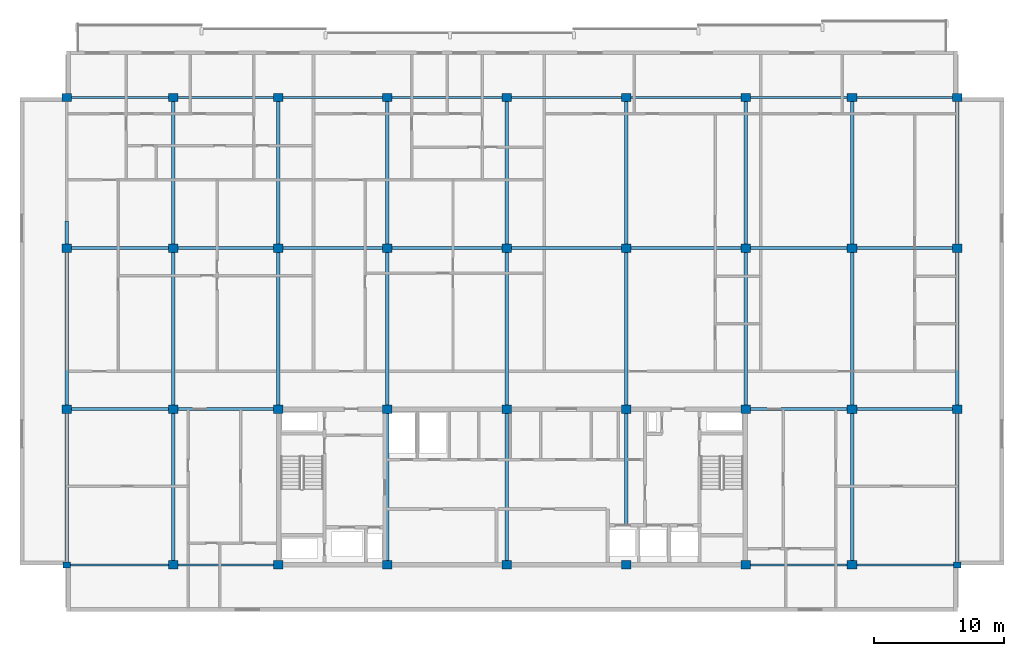
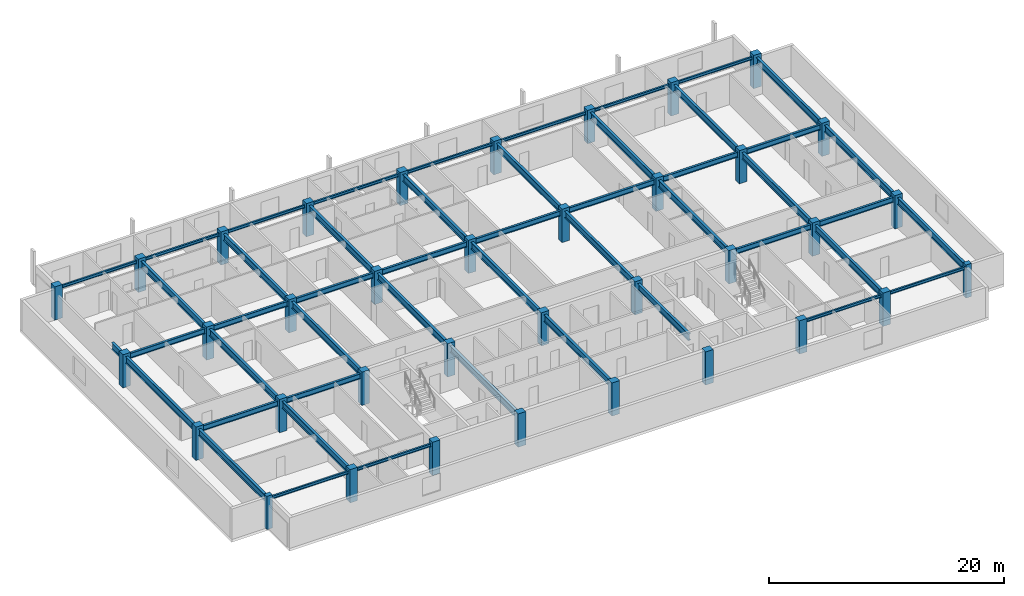
# One storey, part 1 of 11: 49 beams, 36 columns.
"""IFC4 building model written with IfcOpenShell, lengths in metres."""

from ifc_helpers import new_model, si_unit, direction, frame, origin, origin_2d, place, context, subcontext, project, spatial, rectangle, i_section, extrude, material, material_profile, profile_set, type_object, element, save


model = new_model("IFC4")

# Units and contexts
model_context = context("Model", 3, precision=1e-05, world=origin(), true_north=direction((0.0, 1.0)))
body_context = subcontext(model_context, "Body", "Model", "MODEL_VIEW")
ifc_project = project(units=[si_unit("LENGTHUNIT", "METRE"), si_unit("AREAUNIT", "SQUARE_METRE"), si_unit("VOLUMEUNIT", "CUBIC_METRE"), si_unit("PLANEANGLEUNIT", "RADIAN"), si_unit("MASSUNIT", "GRAM", prefix="KILO")], contexts=[model_context])

# Site, building, storey
site_placement = place(None, origin())
site = spatial("IfcSite", under=ifc_project, at=site_placement, CompositionType="ELEMENT")
building_placement = place(site_placement, origin())
building = spatial("IfcBuilding", under=site, at=building_placement, Name="Korimba Cascade Residences", CompositionType="ELEMENT")
storey_placement = place(building_placement, frame((0.0, 0.0, 252.800048828125)))
storey = spatial("IfcBuildingStorey", under=building, at=storey_placement, Name="L73", CompositionType="ELEMENT", Elevation=252.800048828125)

# Columns
ifc_material_1 = material(Name="Concrete C65/80", Category="concrete")
ifc_material_profile_1 = material_profile(ifc_material_1, rectangle(XDim=0.550048828125, YDim=0.449951171875, at=origin_2d()), Name="Concrete C65/80")
ifc_profile_set_1 = profile_set([ifc_material_profile_1], Name="Concrete C65/80")
column_type_1 = type_object("IfcColumnType", Name="COL-PIL-550", PredefinedType="PILASTER", material=ifc_profile_set_1)
for number, where, z_axis, x_axis, name in (
    (1, (59.800048828125, 55.199951171875, 0.0), (0.0, 0.0, 1.0), (1.0, 0.0, 0.0), "L73 Tower 1 Column 1.1"),
    (2, (128.39990234375, 55.199951171875, 0.0), (0.0, 0.0, 1.0), (1.0, 0.0, 0.0), "L73 Tower 1 Column 9.1"),
):
    element("IfcColumn", number, at=place(storey_placement, frame(where, z_axis=z_axis, x_axis=x_axis)), inside=storey, type_object=column_type_1, Name=name, PredefinedType="PILASTER", context=body_context, shape_type="SweptSolid", body=[
        extrude(rectangle(XDim=0.550048828125, YDim=0.449951171875, at=origin_2d()), origin(), (0.0, 0.0, 1.0), 3.449951171875),
    ])
ifc_material_2 = material(Name="Concrete C50/60", Category="concrete")
ifc_material_profile_2 = material_profile(ifc_material_2, rectangle(XDim=0.75, YDim=0.64990234375, at=origin_2d()), Name="Concrete C50/60")
ifc_profile_set_2 = profile_set([ifc_material_profile_2], Name="Concrete C50/60")
column_type_2 = type_object("IfcColumnType", Name="COL-RC-750", PredefinedType="COLUMN", material=ifc_profile_set_2)
for number, where, z_axis, x_axis, name in (
    (3, (59.800048828125, 67.199951171875, 0.0), (0.0, 0.0, 1.0), (1.0, 0.0, 0.0), "L73 Tower 1 Column 1.2"),
    (4, (59.800048828125, 79.60009765625, 0.0), (0.0, 0.0, 1.0), (1.0, 0.0, 0.0), "L73 Tower 1 Column 1.3"),
    (5, (59.800048828125, 91.199951171875, 0.0), (0.0, 0.0, 1.0), (1.0, 0.0, 0.0), "L73 Tower 1 Column 1.4"),
    (6, (68.0, 55.199951171875, 0.0), (0.0, 0.0, 1.0), (1.0, 0.0, 0.0), "L73 Tower 1 Column 2.1"),
    (7, (68.0, 67.199951171875, 0.0), (0.0, 0.0, 1.0), (1.0, 0.0, 0.0), "L73 Tower 1 Column 2.2"),
    (8, (68.0, 79.60009765625, 0.0), (0.0, 0.0, 1.0), (1.0, 0.0, 0.0), "L73 Tower 1 Column 2.3"),
    (9, (68.0, 91.199951171875, 0.0), (0.0, 0.0, 1.0), (1.0, 0.0, 0.0), "L73 Tower 1 Column 2.4"),
    (10, (76.10009765625, 55.199951171875, 0.0), (0.0, 0.0, 1.0), (1.0, 0.0, 0.0), "L73 Tower 1 Column 3.1"),
    (11, (76.10009765625, 67.199951171875, 0.0), (0.0, 0.0, 1.0), (1.0, 0.0, 0.0), "L73 Tower 1 Column 3.2"),
    (12, (76.10009765625, 79.60009765625, 0.0), (0.0, 0.0, 1.0), (1.0, 0.0, 0.0), "L73 Tower 1 Column 3.3"),
    (13, (76.10009765625, 91.199951171875, 0.0), (0.0, 0.0, 1.0), (1.0, 0.0, 0.0), "L73 Tower 1 Column 3.4"),
    (14, (84.5, 55.199951171875, 0.0), (0.0, 0.0, 1.0), (1.0, 0.0, 0.0), "L73 Tower 1 Column 4.1"),
    (15, (84.5, 67.199951171875, 0.0), (0.0, 0.0, 1.0), (1.0, 0.0, 0.0), "L73 Tower 1 Column 4.2"),
    (16, (84.5, 79.60009765625, 0.0), (0.0, 0.0, 1.0), (1.0, 0.0, 0.0), "L73 Tower 1 Column 4.3"),
    (17, (84.5, 91.199951171875, 0.0), (0.0, 0.0, 1.0), (1.0, 0.0, 0.0), "L73 Tower 1 Column 4.4"),
    (18, (93.699951171875, 55.199951171875, 0.0), (0.0, 0.0, 1.0), (1.0, 0.0, 0.0), "L73 Tower 1 Column 5.1"),
    (19, (93.699951171875, 67.199951171875, 0.0), (0.0, 0.0, 1.0), (1.0, 0.0, 0.0), "L73 Tower 1 Column 5.2"),
    (20, (93.699951171875, 79.60009765625, 0.0), (0.0, 0.0, 1.0), (1.0, 0.0, 0.0), "L73 Tower 1 Column 5.3"),
    (21, (93.699951171875, 91.199951171875, 0.0), (0.0, 0.0, 1.0), (1.0, 0.0, 0.0), "L73 Tower 1 Column 5.4"),
    (22, (102.89990234375, 55.199951171875, 0.0), (0.0, 0.0, 1.0), (1.0, 0.0, 0.0), "L73 Tower 1 Column 6.1"),
    (23, (102.89990234375, 67.199951171875, 0.0), (0.0, 0.0, 1.0), (1.0, 0.0, 0.0), "L73 Tower 1 Column 6.2"),
    (24, (102.89990234375, 79.60009765625, 0.0), (0.0, 0.0, 1.0), (1.0, 0.0, 0.0), "L73 Tower 1 Column 6.3"),
    (25, (102.89990234375, 91.199951171875, 0.0), (0.0, 0.0, 1.0), (1.0, 0.0, 0.0), "L73 Tower 1 Column 6.4"),
    (26, (112.10009765625, 55.199951171875, 0.0), (0.0, 0.0, 1.0), (1.0, 0.0, 0.0), "L73 Tower 1 Column 7.1"),
    (27, (112.10009765625, 67.199951171875, 0.0), (0.0, 0.0, 1.0), (1.0, 0.0, 0.0), "L73 Tower 1 Column 7.2"),
    (28, (112.10009765625, 79.60009765625, 0.0), (0.0, 0.0, 1.0), (1.0, 0.0, 0.0), "L73 Tower 1 Column 7.3"),
    (29, (112.10009765625, 91.199951171875, 0.0), (0.0, 0.0, 1.0), (1.0, 0.0, 0.0), "L73 Tower 1 Column 7.4"),
    (30, (120.300048828125, 55.199951171875, 0.0), (0.0, 0.0, 1.0), (1.0, 0.0, 0.0), "L73 Tower 1 Column 8.1"),
    (31, (120.300048828125, 67.199951171875, 0.0), (0.0, 0.0, 1.0), (1.0, 0.0, 0.0), "L73 Tower 1 Column 8.2"),
    (32, (120.300048828125, 79.60009765625, 0.0), (0.0, 0.0, 1.0), (1.0, 0.0, 0.0), "L73 Tower 1 Column 8.3"),
    (33, (120.300048828125, 91.199951171875, 0.0), (0.0, 0.0, 1.0), (1.0, 0.0, 0.0), "L73 Tower 1 Column 8.4"),
    (34, (128.39990234375, 67.199951171875, 0.0), (0.0, 0.0, 1.0), (1.0, 0.0, 0.0), "L73 Tower 1 Column 9.2"),
    (35, (128.39990234375, 79.60009765625, 0.0), (0.0, 0.0, 1.0), (1.0, 0.0, 0.0), "L73 Tower 1 Column 9.3"),
    (36, (128.39990234375, 91.199951171875, 0.0), (0.0, 0.0, 1.0), (1.0, 0.0, 0.0), "L73 Tower 1 Column 9.4"),
):
    element("IfcColumn", number, at=place(storey_placement, frame(where, z_axis=z_axis, x_axis=x_axis)), inside=storey, type_object=column_type_2, Name=name, PredefinedType="COLUMN", context=body_context, shape_type="SweptSolid", body=[
        extrude(rectangle(XDim=0.75, YDim=0.64990234375, at=origin_2d()), origin(), (0.0, 0.0, 1.0), 3.449951171875),
    ])

# Beams
ifc_material_3 = material(Name="Steel S355", Category="steel")
ifc_material_profile_3 = material_profile(ifc_material_3, i_section(OverallWidth=0.165771484375, OverallDepth=0.306640625, WebThickness=0.006591796875, FlangeThickness=0.01171875, FilletRadius=0.0087890625, at=origin_2d()), Name="Steel S355")
ifc_profile_set_3 = profile_set([ifc_material_profile_3], Name="Steel S355")
beam_type_1 = type_object("IfcBeamType", Name="BM-STL-UB305", PredefinedType="SPANDREL", material=ifc_profile_set_3)
beam_1_placement = place(storey_placement, frame((60.074951171875, 55.199951171875, 3.0166015625), z_axis=(1.0, 0.0, 0.0), x_axis=(0.0, 1.0, 0.0)))
element("IfcBeam", 37, at=beam_1_placement, inside=storey, type_object=beam_type_1, Name="L73 T1 E-W Girder Y1 Bay 1", PredefinedType="SPANDREL", context=body_context, shape_type="SweptSolid", body=[
    extrude(i_section(OverallWidth=0.165771484375, OverallDepth=0.306640625, WebThickness=0.006591796875, FlangeThickness=0.01171875, FilletRadius=0.0087890625, at=origin_2d()), origin(), (0.0, 0.0, 1.0), 7.550048828125),
])
beam_2_placement = place(storey_placement, frame((68.375, 55.199951171875, 3.0166015625), z_axis=(1.0, 0.0, 0.0), x_axis=(0.0, 1.0, 0.0)))
element("IfcBeam", 38, at=beam_2_placement, inside=storey, type_object=beam_type_1, Name="L73 T1 E-W Girder Y1 Bay 2", PredefinedType="SPANDREL", context=body_context, shape_type="SweptSolid", body=[
    extrude(i_section(OverallWidth=0.165771484375, OverallDepth=0.306640625, WebThickness=0.006591796875, FlangeThickness=0.01171875, FilletRadius=0.0087890625, at=origin_2d()), origin(), (0.0, 0.0, 1.0), 7.35009765625),
])
for number, where, z_axis, x_axis, name in (
    (39, (112.47509765625, 55.199951171875, 3.0166015625), (1.0, 0.0, 0.0), (0.0, 1.0, 0.0), "L73 T1 E-W Girder Y1 Bay 7"),
    (40, (120.675048828125, 55.199951171875, 3.0166015625), (1.0, 0.0, 0.0), (0.0, 1.0, 0.0), "L73 T1 E-W Girder Y1 Bay 8"),
    (41, (60.175048828125, 91.199951171875, 3.0166015625), (1.0, 0.0, 0.0), (0.0, 1.0, 0.0), "L73 T1 E-W Girder Y4 Bay 1"),
):
    element("IfcBeam", number, at=place(storey_placement, frame(where, z_axis=z_axis, x_axis=x_axis)), inside=storey, type_object=beam_type_1, Name=name, PredefinedType="SPANDREL", context=body_context, shape_type="SweptSolid", body=[
        extrude(i_section(OverallWidth=0.165771484375, OverallDepth=0.306640625, WebThickness=0.006591796875, FlangeThickness=0.01171875, FilletRadius=0.0087890625, at=origin_2d()), origin(), (0.0, 0.0, 1.0), 7.449951171875),
    ])
beam_3_placement = place(storey_placement, frame((68.375, 91.199951171875, 3.0166015625), z_axis=(1.0, 0.0, 0.0), x_axis=(0.0, 1.0, 0.0)))
element("IfcBeam", 42, at=beam_3_placement, inside=storey, type_object=beam_type_1, Name="L73 T1 E-W Girder Y4 Bay 2", PredefinedType="SPANDREL", context=body_context, shape_type="SweptSolid", body=[
    extrude(i_section(OverallWidth=0.165771484375, OverallDepth=0.306640625, WebThickness=0.006591796875, FlangeThickness=0.01171875, FilletRadius=0.0087890625, at=origin_2d()), origin(), (0.0, 0.0, 1.0), 7.35009765625),
])
beam_4_placement = place(storey_placement, frame((76.47509765625, 91.199951171875, 3.0166015625), z_axis=(1.0, 0.0, 0.0), x_axis=(0.0, 1.0, 0.0)))
element("IfcBeam", 43, at=beam_4_placement, inside=storey, type_object=beam_type_1, Name="L73 T1 E-W Girder Y4 Bay 3", PredefinedType="SPANDREL", context=body_context, shape_type="SweptSolid", body=[
    extrude(i_section(OverallWidth=0.165771484375, OverallDepth=0.306640625, WebThickness=0.006591796875, FlangeThickness=0.01171875, FilletRadius=0.0087890625, at=origin_2d()), origin(), (0.0, 0.0, 1.0), 7.64990234375),
])
for number, where, z_axis, x_axis, name in (
    (44, (84.875, 91.199951171875, 3.0166015625), (1.0, 0.0, 0.0), (0.0, 1.0, 0.0), "L73 T1 E-W Girder Y4 Bay 4"),
    (45, (94.074951171875, 91.199951171875, 3.0166015625), (1.0, 0.0, 0.0), (0.0, 1.0, 0.0), "L73 T1 E-W Girder Y4 Bay 5"),
):
    element("IfcBeam", number, at=place(storey_placement, frame(where, z_axis=z_axis, x_axis=x_axis)), inside=storey, type_object=beam_type_1, Name=name, PredefinedType="SPANDREL", context=body_context, shape_type="SweptSolid", body=[
        extrude(i_section(OverallWidth=0.165771484375, OverallDepth=0.306640625, WebThickness=0.006591796875, FlangeThickness=0.01171875, FilletRadius=0.0087890625, at=origin_2d()), origin(), (0.0, 0.0, 1.0), 8.449951171875),
    ])
beam_5_placement = place(storey_placement, frame((103.27490234375, 91.199951171875, 3.0166015625), z_axis=(1.0, 0.0, 0.0), x_axis=(0.0, 1.0, 0.0)))
element("IfcBeam", 46, at=beam_5_placement, inside=storey, type_object=beam_type_1, Name="L73 T1 E-W Girder Y4 Bay 6", PredefinedType="SPANDREL", context=body_context, shape_type="SweptSolid", body=[
    extrude(i_section(OverallWidth=0.165771484375, OverallDepth=0.306640625, WebThickness=0.006591796875, FlangeThickness=0.01171875, FilletRadius=0.0087890625, at=origin_2d()), origin(), (0.0, 0.0, 1.0), 8.4501953125),
])
beam_6_placement = place(storey_placement, frame((112.47509765625, 91.199951171875, 3.0166015625), z_axis=(1.0, 0.0, 0.0), x_axis=(0.0, 1.0, 0.0)))
element("IfcBeam", 47, at=beam_6_placement, inside=storey, type_object=beam_type_1, Name="L73 T1 E-W Girder Y4 Bay 7", PredefinedType="SPANDREL", context=body_context, shape_type="SweptSolid", body=[
    extrude(i_section(OverallWidth=0.165771484375, OverallDepth=0.306640625, WebThickness=0.006591796875, FlangeThickness=0.01171875, FilletRadius=0.0087890625, at=origin_2d()), origin(), (0.0, 0.0, 1.0), 7.449951171875),
])
beam_7_placement = place(storey_placement, frame((120.675048828125, 91.199951171875, 3.0166015625), z_axis=(1.0, 0.0, 0.0), x_axis=(0.0, 1.0, 0.0)))
element("IfcBeam", 48, at=beam_7_placement, inside=storey, type_object=beam_type_1, Name="L73 T1 E-W Girder Y4 Bay 8", PredefinedType="SPANDREL", context=body_context, shape_type="SweptSolid", body=[
    extrude(i_section(OverallWidth=0.165771484375, OverallDepth=0.306640625, WebThickness=0.006591796875, FlangeThickness=0.01171875, FilletRadius=0.0087890625, at=origin_2d()), origin(), (0.0, 0.0, 1.0), 7.349853515625),
])
ifc_material_profile_4 = material_profile(ifc_material_3, i_section(OverallWidth=0.2099609375, OverallDepth=0.53662109375, WebThickness=0.0107421875, FlangeThickness=0.017333984375, FilletRadius=0.0126953125, at=origin_2d()), Name="Steel S355")
ifc_profile_set_4 = profile_set([ifc_material_profile_4], Name="Steel S355")
beam_type_2 = type_object("IfcBeamType", Name="BM-STL-UB533", PredefinedType="BEAM", material=ifc_profile_set_4)
beam_8_placement = place(storey_placement, frame((60.175048828125, 67.199951171875, 2.901611328125), z_axis=(1.0, 0.0, 0.0), x_axis=(0.0, 1.0, 0.0)))
element("IfcBeam", 49, at=beam_8_placement, inside=storey, type_object=beam_type_2, Name="L73 T1 E-W Girder Y2 Bay 1", PredefinedType="BEAM", context=body_context, shape_type="SweptSolid", body=[
    extrude(i_section(OverallWidth=0.2099609375, OverallDepth=0.53662109375, WebThickness=0.0107421875, FlangeThickness=0.017333984375, FilletRadius=0.0126953125, at=origin_2d()), origin(), (0.0, 0.0, 1.0), 7.449951171875),
])
beam_9_placement = place(storey_placement, frame((68.375, 67.199951171875, 2.901611328125), z_axis=(1.0, 0.0, 0.0), x_axis=(0.0, 1.0, 0.0)))
element("IfcBeam", 50, at=beam_9_placement, inside=storey, type_object=beam_type_2, Name="L73 T1 E-W Girder Y2 Bay 2", PredefinedType="BEAM", context=body_context, shape_type="SweptSolid", body=[
    extrude(i_section(OverallWidth=0.2099609375, OverallDepth=0.53662109375, WebThickness=0.0107421875, FlangeThickness=0.017333984375, FilletRadius=0.0126953125, at=origin_2d()), origin(), (0.0, 0.0, 1.0), 7.35009765625),
])
beam_10_placement = place(storey_placement, frame((112.47509765625, 67.199951171875, 2.901611328125), z_axis=(1.0, 0.0, 0.0), x_axis=(0.0, 1.0, 0.0)))
element("IfcBeam", 51, at=beam_10_placement, inside=storey, type_object=beam_type_2, Name="L73 T1 E-W Girder Y2 Bay 7", PredefinedType="BEAM", context=body_context, shape_type="SweptSolid", body=[
    extrude(i_section(OverallWidth=0.2099609375, OverallDepth=0.53662109375, WebThickness=0.0107421875, FlangeThickness=0.017333984375, FilletRadius=0.0126953125, at=origin_2d()), origin(), (0.0, 0.0, 1.0), 7.449951171875),
])
beam_11_placement = place(storey_placement, frame((120.675048828125, 67.199951171875, 2.901611328125), z_axis=(1.0, 0.0, 0.0), x_axis=(0.0, 1.0, 0.0)))
element("IfcBeam", 52, at=beam_11_placement, inside=storey, type_object=beam_type_2, Name="L73 T1 E-W Girder Y2 Bay 8", PredefinedType="BEAM", context=body_context, shape_type="SweptSolid", body=[
    extrude(i_section(OverallWidth=0.2099609375, OverallDepth=0.53662109375, WebThickness=0.0107421875, FlangeThickness=0.017333984375, FilletRadius=0.0126953125, at=origin_2d()), origin(), (0.0, 0.0, 1.0), 7.349853515625),
])
beam_12_placement = place(storey_placement, frame((60.175048828125, 79.60009765625, 2.901611328125), z_axis=(1.0, 0.0, 0.0), x_axis=(0.0, 1.0, 0.0)))
element("IfcBeam", 53, at=beam_12_placement, inside=storey, type_object=beam_type_2, Name="L73 T1 E-W Girder Y3 Bay 1", PredefinedType="BEAM", context=body_context, shape_type="SweptSolid", body=[
    extrude(i_section(OverallWidth=0.2099609375, OverallDepth=0.53662109375, WebThickness=0.0107421875, FlangeThickness=0.017333984375, FilletRadius=0.0126953125, at=origin_2d()), origin(), (0.0, 0.0, 1.0), 7.449951171875),
])
beam_13_placement = place(storey_placement, frame((68.375, 79.60009765625, 2.901611328125), z_axis=(1.0, 0.0, 0.0), x_axis=(0.0, 1.0, 0.0)))
element("IfcBeam", 54, at=beam_13_placement, inside=storey, type_object=beam_type_2, Name="L73 T1 E-W Girder Y3 Bay 2", PredefinedType="BEAM", context=body_context, shape_type="SweptSolid", body=[
    extrude(i_section(OverallWidth=0.2099609375, OverallDepth=0.53662109375, WebThickness=0.0107421875, FlangeThickness=0.017333984375, FilletRadius=0.0126953125, at=origin_2d()), origin(), (0.0, 0.0, 1.0), 7.35009765625),
])
beam_14_placement = place(storey_placement, frame((76.47509765625, 79.60009765625, 2.901611328125), z_axis=(1.0, 0.0, 0.0), x_axis=(0.0, 1.0, 0.0)))
element("IfcBeam", 55, at=beam_14_placement, inside=storey, type_object=beam_type_2, Name="L73 T1 E-W Girder Y3 Bay 3", PredefinedType="BEAM", context=body_context, shape_type="SweptSolid", body=[
    extrude(i_section(OverallWidth=0.2099609375, OverallDepth=0.53662109375, WebThickness=0.0107421875, FlangeThickness=0.017333984375, FilletRadius=0.0126953125, at=origin_2d()), origin(), (0.0, 0.0, 1.0), 7.64990234375),
])
for number, where, z_axis, x_axis, name in (
    (56, (84.875, 79.60009765625, 2.901611328125), (1.0, 0.0, 0.0), (0.0, 1.0, 0.0), "L73 T1 E-W Girder Y3 Bay 4"),
    (57, (94.074951171875, 79.60009765625, 2.901611328125), (1.0, 0.0, 0.0), (0.0, 1.0, 0.0), "L73 T1 E-W Girder Y3 Bay 5"),
):
    element("IfcBeam", number, at=place(storey_placement, frame(where, z_axis=z_axis, x_axis=x_axis)), inside=storey, type_object=beam_type_2, Name=name, PredefinedType="BEAM", context=body_context, shape_type="SweptSolid", body=[
        extrude(i_section(OverallWidth=0.2099609375, OverallDepth=0.53662109375, WebThickness=0.0107421875, FlangeThickness=0.017333984375, FilletRadius=0.0126953125, at=origin_2d()), origin(), (0.0, 0.0, 1.0), 8.449951171875),
    ])
beam_15_placement = place(storey_placement, frame((103.27490234375, 79.60009765625, 2.901611328125), z_axis=(1.0, 0.0, 0.0), x_axis=(0.0, 1.0, 0.0)))
element("IfcBeam", 58, at=beam_15_placement, inside=storey, type_object=beam_type_2, Name="L73 T1 E-W Girder Y3 Bay 6", PredefinedType="BEAM", context=body_context, shape_type="SweptSolid", body=[
    extrude(i_section(OverallWidth=0.2099609375, OverallDepth=0.53662109375, WebThickness=0.0107421875, FlangeThickness=0.017333984375, FilletRadius=0.0126953125, at=origin_2d()), origin(), (0.0, 0.0, 1.0), 8.4501953125),
])
beam_16_placement = place(storey_placement, frame((112.47509765625, 79.60009765625, 2.901611328125), z_axis=(1.0, 0.0, 0.0), x_axis=(0.0, 1.0, 0.0)))
element("IfcBeam", 59, at=beam_16_placement, inside=storey, type_object=beam_type_2, Name="L73 T1 E-W Girder Y3 Bay 7", PredefinedType="BEAM", context=body_context, shape_type="SweptSolid", body=[
    extrude(i_section(OverallWidth=0.2099609375, OverallDepth=0.53662109375, WebThickness=0.0107421875, FlangeThickness=0.017333984375, FilletRadius=0.0126953125, at=origin_2d()), origin(), (0.0, 0.0, 1.0), 7.449951171875),
])
beam_17_placement = place(storey_placement, frame((120.675048828125, 79.60009765625, 2.901611328125), z_axis=(1.0, 0.0, 0.0), x_axis=(0.0, 1.0, 0.0)))
element("IfcBeam", 60, at=beam_17_placement, inside=storey, type_object=beam_type_2, Name="L73 T1 E-W Girder Y3 Bay 8", PredefinedType="BEAM", context=body_context, shape_type="SweptSolid", body=[
    extrude(i_section(OverallWidth=0.2099609375, OverallDepth=0.53662109375, WebThickness=0.0107421875, FlangeThickness=0.017333984375, FilletRadius=0.0126953125, at=origin_2d()), origin(), (0.0, 0.0, 1.0), 7.349853515625),
])
ifc_material_profile_5 = material_profile(ifc_material_3, i_section(OverallWidth=0.255859375, OverallDepth=0.69287109375, WebThickness=0.014404296875, FlangeThickness=0.023681640625, FilletRadius=0.01513671875, at=origin_2d()), Name="Steel S355")
ifc_profile_set_5 = profile_set([ifc_material_profile_5], Name="Steel S355")
beam_type_3 = type_object("IfcBeamType", Name="BM-STL-UB686", PredefinedType="BEAM", material=ifc_profile_set_5)
beam_18_placement = place(storey_placement, frame((59.800048828125, 55.425048828125, 2.823486328125), z_axis=(0.0, 1.0, 0.0), x_axis=(-1.0, 0.0, 0.0)))
element("IfcBeam", 61, at=beam_18_placement, inside=storey, type_object=beam_type_3, Name="L73 T1 N-S Girder X1 Seg 1", PredefinedType="BEAM", context=body_context, shape_type="SweptSolid", body=[
    extrude(i_section(OverallWidth=0.255859375, OverallDepth=0.69287109375, WebThickness=0.014404296875, FlangeThickness=0.023681640625, FilletRadius=0.01513671875, at=origin_2d()), origin(), (0.0, 0.0, 1.0), 11.449951171875),
])
beam_19_placement = place(storey_placement, frame((59.800048828125, 67.52490234375, 2.823486328125), z_axis=(0.0, 1.0, 0.0), x_axis=(-1.0, 0.0, 0.0)))
element("IfcBeam", 62, at=beam_19_placement, inside=storey, type_object=beam_type_3, Name="L73 T1 N-S Girder X1 Seg 2", PredefinedType="BEAM", context=body_context, shape_type="SweptSolid", body=[
    extrude(i_section(OverallWidth=0.255859375, OverallDepth=0.69287109375, WebThickness=0.014404296875, FlangeThickness=0.023681640625, FilletRadius=0.01513671875, at=origin_2d()), origin(), (0.0, 0.0, 1.0), 11.75),
])
beam_20_placement = place(storey_placement, frame((59.800048828125, 79.925048828125, 2.823486328125), z_axis=(0.0, 1.0, 0.0), x_axis=(-1.0, 0.0, 0.0)))
element("IfcBeam", 63, at=beam_20_placement, inside=storey, type_object=beam_type_3, Name="L73 T1 N-S Girder X1 Seg 3", PredefinedType="BEAM", context=body_context, shape_type="SweptSolid", body=[
    extrude(i_section(OverallWidth=0.255859375, OverallDepth=0.69287109375, WebThickness=0.014404296875, FlangeThickness=0.023681640625, FilletRadius=0.01513671875, at=origin_2d()), origin(), (0.0, 0.0, 1.0), 1.77490234375),
])
beam_21_placement = place(storey_placement, frame((68.0, 55.52490234375, 2.823486328125), z_axis=(0.0, 1.0, 0.0), x_axis=(-1.0, 0.0, 0.0)))
element("IfcBeam", 64, at=beam_21_placement, inside=storey, type_object=beam_type_3, Name="L73 T1 N-S Girder X2 Seg 1", PredefinedType="BEAM", context=body_context, shape_type="SweptSolid", body=[
    extrude(i_section(OverallWidth=0.255859375, OverallDepth=0.69287109375, WebThickness=0.014404296875, FlangeThickness=0.023681640625, FilletRadius=0.01513671875, at=origin_2d()), origin(), (0.0, 0.0, 1.0), 11.35009765625),
])
beam_22_placement = place(storey_placement, frame((68.0, 67.52490234375, 2.823486328125), z_axis=(0.0, 1.0, 0.0), x_axis=(-1.0, 0.0, 0.0)))
element("IfcBeam", 65, at=beam_22_placement, inside=storey, type_object=beam_type_3, Name="L73 T1 N-S Girder X2 Seg 2", PredefinedType="BEAM", context=body_context, shape_type="SweptSolid", body=[
    extrude(i_section(OverallWidth=0.255859375, OverallDepth=0.69287109375, WebThickness=0.014404296875, FlangeThickness=0.023681640625, FilletRadius=0.01513671875, at=origin_2d()), origin(), (0.0, 0.0, 1.0), 11.75),
])
beam_23_placement = place(storey_placement, frame((68.0, 79.925048828125, 2.823486328125), z_axis=(0.0, 1.0, 0.0), x_axis=(-1.0, 0.0, 0.0)))
element("IfcBeam", 66, at=beam_23_placement, inside=storey, type_object=beam_type_3, Name="L73 T1 N-S Girder X2 Seg 3", PredefinedType="BEAM", context=body_context, shape_type="SweptSolid", body=[
    extrude(i_section(OverallWidth=0.255859375, OverallDepth=0.69287109375, WebThickness=0.014404296875, FlangeThickness=0.023681640625, FilletRadius=0.01513671875, at=origin_2d()), origin(), (0.0, 0.0, 1.0), 10.949951171875),
])
beam_24_placement = place(storey_placement, frame((76.10009765625, 67.52490234375, 2.823486328125), z_axis=(0.0, 1.0, 0.0), x_axis=(-1.0, 0.0, 0.0)))
element("IfcBeam", 67, at=beam_24_placement, inside=storey, type_object=beam_type_3, Name="L73 T1 N-S Girder X3 Seg 2", PredefinedType="BEAM", context=body_context, shape_type="SweptSolid", body=[
    extrude(i_section(OverallWidth=0.255859375, OverallDepth=0.69287109375, WebThickness=0.014404296875, FlangeThickness=0.023681640625, FilletRadius=0.01513671875, at=origin_2d()), origin(), (0.0, 0.0, 1.0), 11.75),
])
beam_25_placement = place(storey_placement, frame((76.10009765625, 79.925048828125, 2.823486328125), z_axis=(0.0, 1.0, 0.0), x_axis=(-1.0, 0.0, 0.0)))
element("IfcBeam", 68, at=beam_25_placement, inside=storey, type_object=beam_type_3, Name="L73 T1 N-S Girder X3 Seg 3", PredefinedType="BEAM", context=body_context, shape_type="SweptSolid", body=[
    extrude(i_section(OverallWidth=0.255859375, OverallDepth=0.69287109375, WebThickness=0.014404296875, FlangeThickness=0.023681640625, FilletRadius=0.01513671875, at=origin_2d()), origin(), (0.0, 0.0, 1.0), 10.949951171875),
])
beam_26_placement = place(storey_placement, frame((84.5, 55.52490234375, 2.823486328125), z_axis=(0.0, 1.0, 0.0), x_axis=(-1.0, 0.0, 0.0)))
element("IfcBeam", 69, at=beam_26_placement, inside=storey, type_object=beam_type_3, Name="L73 T1 N-S Girder X4 Seg 1", PredefinedType="BEAM", context=body_context, shape_type="SweptSolid", body=[
    extrude(i_section(OverallWidth=0.255859375, OverallDepth=0.69287109375, WebThickness=0.014404296875, FlangeThickness=0.023681640625, FilletRadius=0.01513671875, at=origin_2d()), origin(), (0.0, 0.0, 1.0), 11.35009765625),
])
beam_27_placement = place(storey_placement, frame((84.5, 67.52490234375, 2.823486328125), z_axis=(0.0, 1.0, 0.0), x_axis=(-1.0, 0.0, 0.0)))
element("IfcBeam", 70, at=beam_27_placement, inside=storey, type_object=beam_type_3, Name="L73 T1 N-S Girder X4 Seg 2", PredefinedType="BEAM", context=body_context, shape_type="SweptSolid", body=[
    extrude(i_section(OverallWidth=0.255859375, OverallDepth=0.69287109375, WebThickness=0.014404296875, FlangeThickness=0.023681640625, FilletRadius=0.01513671875, at=origin_2d()), origin(), (0.0, 0.0, 1.0), 11.75),
])
beam_28_placement = place(storey_placement, frame((84.5, 79.925048828125, 2.823486328125), z_axis=(0.0, 1.0, 0.0), x_axis=(-1.0, 0.0, 0.0)))
element("IfcBeam", 71, at=beam_28_placement, inside=storey, type_object=beam_type_3, Name="L73 T1 N-S Girder X4 Seg 3", PredefinedType="BEAM", context=body_context, shape_type="SweptSolid", body=[
    extrude(i_section(OverallWidth=0.255859375, OverallDepth=0.69287109375, WebThickness=0.014404296875, FlangeThickness=0.023681640625, FilletRadius=0.01513671875, at=origin_2d()), origin(), (0.0, 0.0, 1.0), 10.949951171875),
])
beam_29_placement = place(storey_placement, frame((93.699951171875, 55.52490234375, 2.823486328125), z_axis=(0.0, 1.0, 0.0), x_axis=(-1.0, 0.0, 0.0)))
element("IfcBeam", 72, at=beam_29_placement, inside=storey, type_object=beam_type_3, Name="L73 T1 N-S Girder X5 Seg 1", PredefinedType="BEAM", context=body_context, shape_type="SweptSolid", body=[
    extrude(i_section(OverallWidth=0.255859375, OverallDepth=0.69287109375, WebThickness=0.014404296875, FlangeThickness=0.023681640625, FilletRadius=0.01513671875, at=origin_2d()), origin(), (0.0, 0.0, 1.0), 11.35009765625),
])
beam_30_placement = place(storey_placement, frame((93.699951171875, 67.52490234375, 2.823486328125), z_axis=(0.0, 1.0, 0.0), x_axis=(-1.0, 0.0, 0.0)))
element("IfcBeam", 73, at=beam_30_placement, inside=storey, type_object=beam_type_3, Name="L73 T1 N-S Girder X5 Seg 2", PredefinedType="BEAM", context=body_context, shape_type="SweptSolid", body=[
    extrude(i_section(OverallWidth=0.255859375, OverallDepth=0.69287109375, WebThickness=0.014404296875, FlangeThickness=0.023681640625, FilletRadius=0.01513671875, at=origin_2d()), origin(), (0.0, 0.0, 1.0), 11.75),
])
beam_31_placement = place(storey_placement, frame((93.699951171875, 79.925048828125, 2.823486328125), z_axis=(0.0, 1.0, 0.0), x_axis=(-1.0, 0.0, 0.0)))
element("IfcBeam", 74, at=beam_31_placement, inside=storey, type_object=beam_type_3, Name="L73 T1 N-S Girder X5 Seg 3", PredefinedType="BEAM", context=body_context, shape_type="SweptSolid", body=[
    extrude(i_section(OverallWidth=0.255859375, OverallDepth=0.69287109375, WebThickness=0.014404296875, FlangeThickness=0.023681640625, FilletRadius=0.01513671875, at=origin_2d()), origin(), (0.0, 0.0, 1.0), 10.949951171875),
])
beam_32_placement = place(storey_placement, frame((102.89990234375, 58.260009765625, 2.823486328125), z_axis=(0.0, 1.0, 0.0), x_axis=(-1.0, 0.0, 0.0)))
element("IfcBeam", 75, at=beam_32_placement, inside=storey, type_object=beam_type_3, Name="L73 T1 N-S Girder X6 Seg 1", PredefinedType="BEAM", context=body_context, shape_type="SweptSolid", body=[
    extrude(i_section(OverallWidth=0.255859375, OverallDepth=0.69287109375, WebThickness=0.014404296875, FlangeThickness=0.023681640625, FilletRadius=0.01513671875, at=origin_2d()), origin(), (0.0, 0.0, 1.0), 8.614990234375),
])
beam_33_placement = place(storey_placement, frame((102.89990234375, 67.52490234375, 2.823486328125), z_axis=(0.0, 1.0, 0.0), x_axis=(-1.0, 0.0, 0.0)))
element("IfcBeam", 76, at=beam_33_placement, inside=storey, type_object=beam_type_3, Name="L73 T1 N-S Girder X6 Seg 2", PredefinedType="BEAM", context=body_context, shape_type="SweptSolid", body=[
    extrude(i_section(OverallWidth=0.255859375, OverallDepth=0.69287109375, WebThickness=0.014404296875, FlangeThickness=0.023681640625, FilletRadius=0.01513671875, at=origin_2d()), origin(), (0.0, 0.0, 1.0), 11.75),
])
beam_34_placement = place(storey_placement, frame((102.89990234375, 79.925048828125, 2.823486328125), z_axis=(0.0, 1.0, 0.0), x_axis=(-1.0, 0.0, 0.0)))
element("IfcBeam", 77, at=beam_34_placement, inside=storey, type_object=beam_type_3, Name="L73 T1 N-S Girder X6 Seg 3", PredefinedType="BEAM", context=body_context, shape_type="SweptSolid", body=[
    extrude(i_section(OverallWidth=0.255859375, OverallDepth=0.69287109375, WebThickness=0.014404296875, FlangeThickness=0.023681640625, FilletRadius=0.01513671875, at=origin_2d()), origin(), (0.0, 0.0, 1.0), 10.949951171875),
])
beam_35_placement = place(storey_placement, frame((112.10009765625, 67.52490234375, 2.823486328125), z_axis=(0.0, 1.0, 0.0), x_axis=(-1.0, 0.0, 0.0)))
element("IfcBeam", 78, at=beam_35_placement, inside=storey, type_object=beam_type_3, Name="L73 T1 N-S Girder X7 Seg 2", PredefinedType="BEAM", context=body_context, shape_type="SweptSolid", body=[
    extrude(i_section(OverallWidth=0.255859375, OverallDepth=0.69287109375, WebThickness=0.014404296875, FlangeThickness=0.023681640625, FilletRadius=0.01513671875, at=origin_2d()), origin(), (0.0, 0.0, 1.0), 11.75),
])
beam_36_placement = place(storey_placement, frame((112.10009765625, 79.925048828125, 2.823486328125), z_axis=(0.0, 1.0, 0.0), x_axis=(-1.0, 0.0, 0.0)))
element("IfcBeam", 79, at=beam_36_placement, inside=storey, type_object=beam_type_3, Name="L73 T1 N-S Girder X7 Seg 3", PredefinedType="BEAM", context=body_context, shape_type="SweptSolid", body=[
    extrude(i_section(OverallWidth=0.255859375, OverallDepth=0.69287109375, WebThickness=0.014404296875, FlangeThickness=0.023681640625, FilletRadius=0.01513671875, at=origin_2d()), origin(), (0.0, 0.0, 1.0), 10.949951171875),
])
beam_37_placement = place(storey_placement, frame((120.300048828125, 55.52490234375, 2.823486328125), z_axis=(0.0, 1.0, 0.0), x_axis=(-1.0, 0.0, 0.0)))
element("IfcBeam", 80, at=beam_37_placement, inside=storey, type_object=beam_type_3, Name="L73 T1 N-S Girder X8 Seg 1", PredefinedType="BEAM", context=body_context, shape_type="SweptSolid", body=[
    extrude(i_section(OverallWidth=0.255859375, OverallDepth=0.69287109375, WebThickness=0.014404296875, FlangeThickness=0.023681640625, FilletRadius=0.01513671875, at=origin_2d()), origin(), (0.0, 0.0, 1.0), 11.35009765625),
])
beam_38_placement = place(storey_placement, frame((120.300048828125, 67.52490234375, 2.823486328125), z_axis=(0.0, 1.0, 0.0), x_axis=(-1.0, 0.0, 0.0)))
element("IfcBeam", 81, at=beam_38_placement, inside=storey, type_object=beam_type_3, Name="L73 T1 N-S Girder X8 Seg 2", PredefinedType="BEAM", context=body_context, shape_type="SweptSolid", body=[
    extrude(i_section(OverallWidth=0.255859375, OverallDepth=0.69287109375, WebThickness=0.014404296875, FlangeThickness=0.023681640625, FilletRadius=0.01513671875, at=origin_2d()), origin(), (0.0, 0.0, 1.0), 11.75),
])
beam_39_placement = place(storey_placement, frame((120.300048828125, 79.925048828125, 2.823486328125), z_axis=(0.0, 1.0, 0.0), x_axis=(-1.0, 0.0, 0.0)))
element("IfcBeam", 82, at=beam_39_placement, inside=storey, type_object=beam_type_3, Name="L73 T1 N-S Girder X8 Seg 3", PredefinedType="BEAM", context=body_context, shape_type="SweptSolid", body=[
    extrude(i_section(OverallWidth=0.255859375, OverallDepth=0.69287109375, WebThickness=0.014404296875, FlangeThickness=0.023681640625, FilletRadius=0.01513671875, at=origin_2d()), origin(), (0.0, 0.0, 1.0), 10.949951171875),
])
beam_40_placement = place(storey_placement, frame((128.39990234375, 55.425048828125, 2.823486328125), z_axis=(0.0, 1.0, 0.0), x_axis=(-1.0, 0.0, 0.0)))
element("IfcBeam", 83, at=beam_40_placement, inside=storey, type_object=beam_type_3, Name="L73 T1 N-S Girder X9 Seg 1", PredefinedType="BEAM", context=body_context, shape_type="SweptSolid", body=[
    extrude(i_section(OverallWidth=0.255859375, OverallDepth=0.69287109375, WebThickness=0.014404296875, FlangeThickness=0.023681640625, FilletRadius=0.01513671875, at=origin_2d()), origin(), (0.0, 0.0, 1.0), 11.449951171875),
])
beam_41_placement = place(storey_placement, frame((128.39990234375, 67.52490234375, 2.823486328125), z_axis=(0.0, 1.0, 0.0), x_axis=(-1.0, 0.0, 0.0)))
element("IfcBeam", 84, at=beam_41_placement, inside=storey, type_object=beam_type_3, Name="L73 T1 N-S Girder X9 Seg 2", PredefinedType="BEAM", context=body_context, shape_type="SweptSolid", body=[
    extrude(i_section(OverallWidth=0.255859375, OverallDepth=0.69287109375, WebThickness=0.014404296875, FlangeThickness=0.023681640625, FilletRadius=0.01513671875, at=origin_2d()), origin(), (0.0, 0.0, 1.0), 11.75),
])
beam_42_placement = place(storey_placement, frame((128.39990234375, 79.925048828125, 2.823486328125), z_axis=(0.0, 1.0, 0.0), x_axis=(-1.0, 0.0, 0.0)))
element("IfcBeam", 85, at=beam_42_placement, inside=storey, type_object=beam_type_3, Name="L73 T1 N-S Girder X9 Seg 3", PredefinedType="BEAM", context=body_context, shape_type="SweptSolid", body=[
    extrude(i_section(OverallWidth=0.255859375, OverallDepth=0.69287109375, WebThickness=0.014404296875, FlangeThickness=0.023681640625, FilletRadius=0.01513671875, at=origin_2d()), origin(), (0.0, 0.0, 1.0), 10.949951171875),
])

save(model, "model.ifc")
